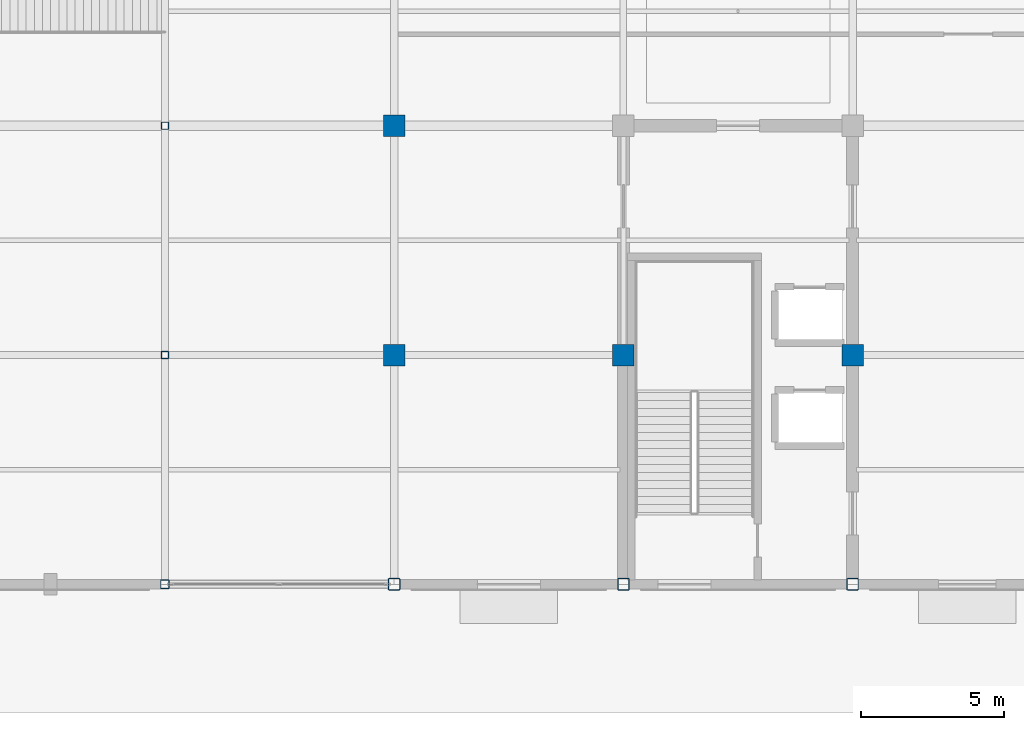
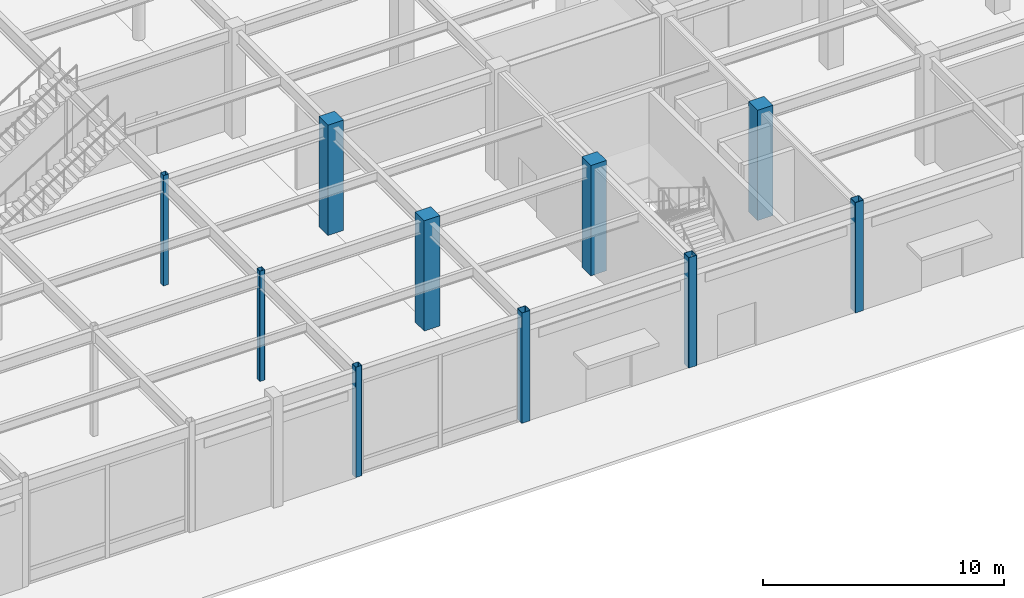
# One storey, part 6 of 128: 10 columns.
"""IFC4 building model written with IfcOpenShell, lengths in metres."""

from ifc_helpers import new_model, si_unit, direction, frame, origin, origin_2d, place, context, subcontext, project, spatial, rectangle, hollow_rectangle, extrude, material, material_profile, profile_set, type_object, element, save


model = new_model("IFC4")

# Units and contexts
model_context = context("Model", 3, precision=1e-05, world=origin(), true_north=direction((0.0, 1.0)))
body_context = subcontext(model_context, "Body", "Model", "MODEL_VIEW")
ifc_project = project(units=[si_unit("LENGTHUNIT", "METRE"), si_unit("AREAUNIT", "SQUARE_METRE"), si_unit("VOLUMEUNIT", "CUBIC_METRE"), si_unit("PLANEANGLEUNIT", "RADIAN"), si_unit("MASSUNIT", "GRAM", prefix="KILO")], contexts=[model_context])

# Site, building, storey
site_placement = place(None, origin())
site = spatial("IfcSite", under=ifc_project, at=site_placement, CompositionType="ELEMENT")
building_placement = place(site_placement, origin())
building = spatial("IfcBuilding", under=site, at=building_placement, Name="Solmirada Galleria", CompositionType="ELEMENT")
storey_placement = place(building_placement, origin())
storey = spatial("IfcBuildingStorey", under=building, at=storey_placement, Name="L00", CompositionType="ELEMENT", Elevation=0.0)

# Columns
ifc_material_1 = material(Name="Steel S355 / ASTM A500 Grade C", Category="steel")
ifc_material_profile_1 = material_profile(ifc_material_1, hollow_rectangle(XDim=0.25390625, YDim=0.25390625, WallThickness=0.0087890625, InnerFilletRadius=0.0087890625, OuterFilletRadius=0.017822265625, at=origin_2d()), Name="HSS10X10X3/8")
ifc_profile_set_1 = profile_set([ifc_material_profile_1], Name="Steel S355 / ASTM A500 Grade C")
column_type_1 = type_object("IfcColumnType", Name="COL-HSS10", PredefinedType="COLUMN", material=ifc_profile_set_1)
for number, where, z_axis, x_axis, name in (
    (1, (72.0, 8.0, 0.0), (0.0, 0.0, 1.0), (1.0, 0.0, 0.0), "Structural column L00-0282"),
    (2, (72.0, 16.0, 0.0), (0.0, 0.0, 1.0), (1.0, 0.0, 0.0), "Structural column L00-0285"),
):
    element("IfcColumn", number, at=place(storey_placement, frame(where, z_axis=z_axis, x_axis=x_axis)), inside=storey, type_object=column_type_1, Name=name, PredefinedType="COLUMN", context=body_context, shape_type="SweptSolid", body=[
        extrude(hollow_rectangle(XDim=0.25390625, YDim=0.25390625, WallThickness=0.0087890625, InnerFilletRadius=0.0087890625, OuterFilletRadius=0.017822265625, at=origin_2d()), origin(), (0.0, 0.0, 1.0), 5.60009765625),
    ])
ifc_material_profile_2 = material_profile(ifc_material_1, hollow_rectangle(XDim=0.304931640625, YDim=0.304931640625, WallThickness=0.01171875, InnerFilletRadius=0.01171875, OuterFilletRadius=0.023681640625, at=origin_2d()), Name="HSS12X12X1/2")
ifc_profile_set_2 = profile_set([ifc_material_profile_2], Name="Steel S355 / ASTM A500 Grade C")
column_type_2 = type_object("IfcColumnType", Name="COL-HSS12", PredefinedType="COLUMN", material=ifc_profile_set_2)
column_placement = place(storey_placement, frame((72.0, 0.0, 0.0), z_axis=(0.0, 0.0, 1.0), x_axis=(1.0, 0.0, 0.0)))
element("IfcColumn", 3, at=column_placement, inside=storey, type_object=column_type_2, Name="Structural column L00-0279", PredefinedType="COLUMN", context=body_context, shape_type="SweptSolid", body=[
    extrude(hollow_rectangle(XDim=0.304931640625, YDim=0.304931640625, WallThickness=0.01171875, InnerFilletRadius=0.01171875, OuterFilletRadius=0.023681640625, at=origin_2d()), origin(), (0.0, 0.0, 1.0), 5.60009765625),
])
ifc_material_profile_3 = material_profile(ifc_material_1, hollow_rectangle(XDim=0.406005859375, YDim=0.406005859375, WallThickness=0.0146484375, InnerFilletRadius=0.0146484375, OuterFilletRadius=0.029296875, at=origin_2d()), Name="HSS16X16X5/8")
ifc_profile_set_3 = profile_set([ifc_material_profile_3], Name="Steel S355 / ASTM A500 Grade C")
column_type_3 = type_object("IfcColumnType", Name="COL-HSS16", PredefinedType="COLUMN", material=ifc_profile_set_3)
for number, where, z_axis, x_axis, name in (
    (4, (80.0, 0.0, 0.0), (0.0, 0.0, 1.0), (1.0, 0.0, 0.0), "Structural column L00-0346"),
    (5, (88.0, 0.0, 0.0), (0.0, 0.0, 1.0), (1.0, 0.0, 0.0), "Structural column L00-0463"),
    (6, (96.0, 0.0, 0.0), (0.0, 0.0, 1.0), (1.0, 0.0, 0.0), "Structural column L00-0585"),
):
    element("IfcColumn", number, at=place(storey_placement, frame(where, z_axis=z_axis, x_axis=x_axis)), inside=storey, type_object=column_type_3, Name=name, PredefinedType="COLUMN", context=body_context, shape_type="SweptSolid", body=[
        extrude(hollow_rectangle(XDim=0.406005859375, YDim=0.406005859375, WallThickness=0.0146484375, InnerFilletRadius=0.0146484375, OuterFilletRadius=0.029296875, at=origin_2d()), origin(), (0.0, 0.0, 1.0), 5.60009765625),
    ])
ifc_material_2 = material(Name="Concrete C40/50", Category="concrete")
ifc_material_profile_4 = material_profile(ifc_material_2, rectangle(XDim=0.75, YDim=0.75, at=origin_2d()), Name="RC750X750")
ifc_profile_set_4 = profile_set([ifc_material_profile_4], Name="Concrete C40/50")
column_type_4 = type_object("IfcColumnType", Name="COL-RC750", PredefinedType="COLUMN", material=ifc_profile_set_4)
for number, where, z_axis, x_axis, name in (
    (7, (80.0, 8.0, 0.0), (0.0, 0.0, 1.0), (1.0, 0.0, 0.0), "Structural column L00-0354"),
    (8, (80.0, 16.0, 0.0), (0.0, 0.0, 1.0), (1.0, 0.0, 0.0), "Structural column L00-0362"),
    (9, (88.0, 8.0, 0.0), (0.0, 0.0, 1.0), (1.0, 0.0, 0.0), "Structural column L00-0471"),
    (10, (96.0, 8.0, 0.0), (0.0, 0.0, 1.0), (1.0, 0.0, 0.0), "Structural column L00-0593"),
):
    element("IfcColumn", number, at=place(storey_placement, frame(where, z_axis=z_axis, x_axis=x_axis)), inside=storey, type_object=column_type_4, Name=name, PredefinedType="COLUMN", context=body_context, shape_type="SweptSolid", body=[
        extrude(rectangle(XDim=0.75, YDim=0.75, at=origin_2d()), origin(), (0.0, 0.0, 1.0), 5.60009765625),
    ])

save(model, "model.ifc")
